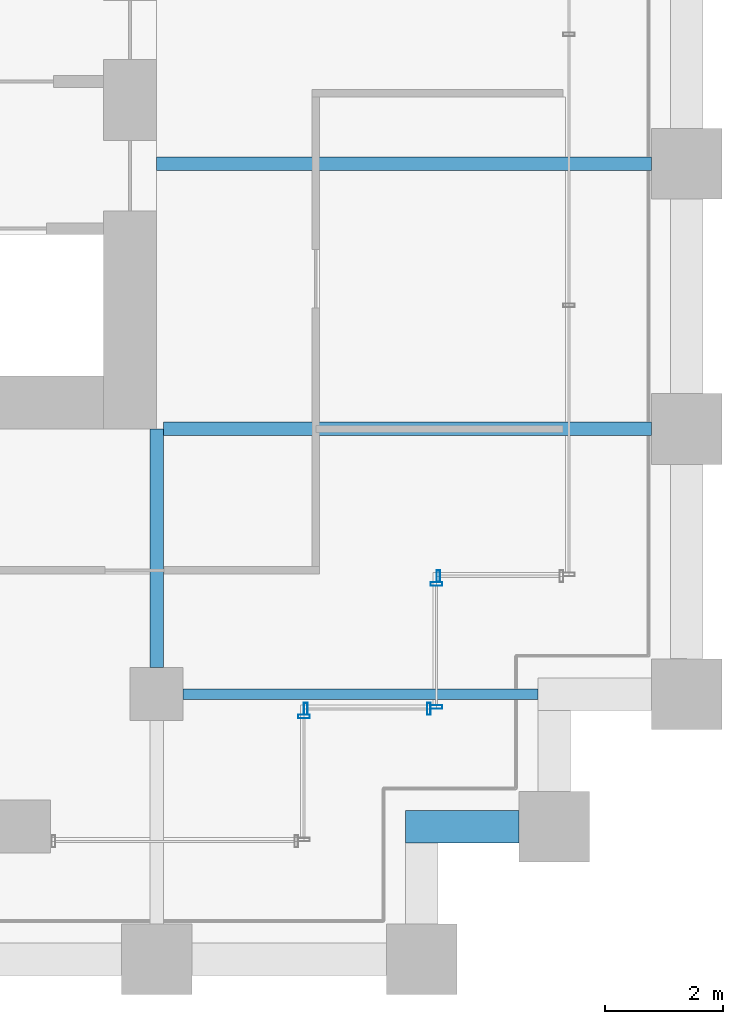
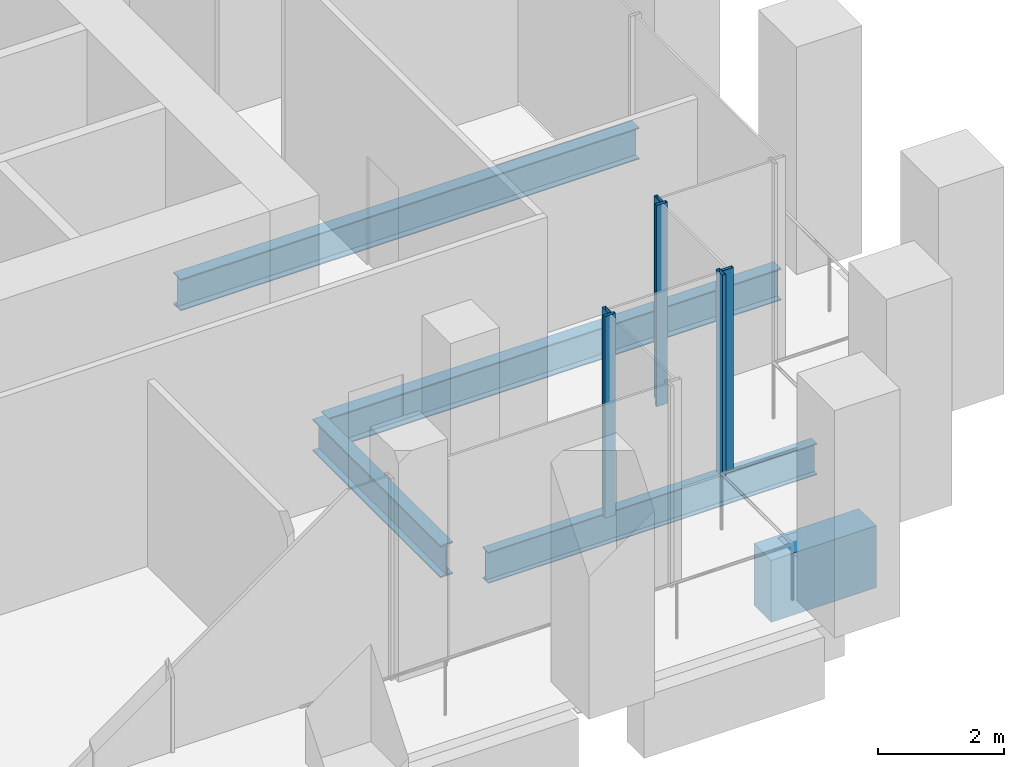
# One storey, part 22 of 36: 6 members, 5 beams, 4 elements without a shape of their own.
"""IFC4 building model written with IfcOpenShell, lengths in metres."""

from ifc_helpers import new_model, si_unit, direction, frame, origin, origin_2d, place, context, subcontext, project, spatial, rectangle, hollow_rectangle, i_section, extrude, material, material_profile, profile_set, type_object, element, aggregate, save


model = new_model("IFC4")

# Units and contexts
model_context = context("Model", 3, precision=1e-05, world=origin(), true_north=direction((0.0, 1.0)))
body_context = subcontext(model_context, "Body", "Model", "MODEL_VIEW")
ifc_project = project(units=[si_unit("LENGTHUNIT", "METRE"), si_unit("AREAUNIT", "SQUARE_METRE"), si_unit("VOLUMEUNIT", "CUBIC_METRE"), si_unit("PLANEANGLEUNIT", "RADIAN"), si_unit("MASSUNIT", "GRAM", prefix="KILO")], contexts=[model_context])

# Site, building, storey
site_placement = place(None, origin())
site = spatial("IfcSite", under=ifc_project, at=site_placement, CompositionType="ELEMENT")
building_placement = place(site_placement, origin())
building = spatial("IfcBuilding", under=site, at=building_placement, Name="Altepetl Exchange Towers", CompositionType="ELEMENT")
storey_placement = place(building_placement, frame((0.0, 0.0, 34.199951171875)))
storey = spatial("IfcBuildingStorey", under=building, at=storey_placement, Name="L07", CompositionType="ELEMENT", Elevation=34.199951171875)

# Beams
ifc_material_1 = material(Name="Steel S355", Category="steel")
ifc_material_profile_1 = material_profile(ifc_material_1, i_section(OverallWidth=0.178955078125, OverallDepth=0.60302734375, WebThickness=0.010986328125, FlangeThickness=0.014892578125, at=origin_2d()), Name="W24X62")
ifc_profile_set_1 = profile_set([ifc_material_profile_1], Name="Steel S355")
beam_type_1 = type_object("IfcBeamType", Name="Floor beam W24X62", PredefinedType="BEAM", material=ifc_profile_set_1)
beam_1_placement = place(storey_placement, frame((117.449951171875, 31.5, -0.4765625), z_axis=(1.0, 0.0, 0.0), x_axis=(0.0, 1.0, 0.0)))
element("IfcBeam", 1, at=beam_1_placement, inside=storey, type_object=beam_type_1, Name="bm:B:L07:004", PredefinedType="BEAM", context=body_context, shape_type="SweptSolid", body=[
    extrude(i_section(OverallWidth=0.178955078125, OverallDepth=0.60302734375, WebThickness=0.010986328125, FlangeThickness=0.014892578125, at=origin_2d()), origin(), (0.0, 0.0, 1.0), 6.025146484375),
])
ifc_material_profile_2 = material_profile(ifc_material_1, i_section(OverallWidth=0.22900390625, OverallDepth=0.612060546875, WebThickness=0.011962890625, FlangeThickness=0.01953125, at=origin_2d()), Name="W24X84")
ifc_profile_set_2 = profile_set([ifc_material_profile_2], Name="Steel S355")
beam_type_2 = type_object("IfcBeamType", Name="Floor beam W24X84", PredefinedType="BEAM", material=ifc_profile_set_2)
beam_2_placement = place(storey_placement, frame((117.114990234375, 36.0, -0.48095703125), z_axis=(1.0, 0.0, 0.0), x_axis=(0.0, 1.0, 0.0)))
element("IfcBeam", 2, at=beam_2_placement, inside=storey, type_object=beam_type_2, Name="bm:B:L07:005", PredefinedType="BEAM", context=body_context, shape_type="SweptSolid", body=[
    extrude(i_section(OverallWidth=0.22900390625, OverallDepth=0.612060546875, WebThickness=0.011962890625, FlangeThickness=0.01953125, at=origin_2d()), origin(), (0.0, 0.0, 1.0), 8.284912109375),
])
beam_3_placement = place(storey_placement, frame((117.0, 40.5, -0.48095703125), z_axis=(1.0, 0.0, 0.0), x_axis=(0.0, 1.0, 0.0)))
element("IfcBeam", 3, at=beam_3_placement, inside=storey, type_object=beam_type_2, Name="bm:B:L07:006", PredefinedType="BEAM", context=body_context, shape_type="SweptSolid", body=[
    extrude(i_section(OverallWidth=0.22900390625, OverallDepth=0.612060546875, WebThickness=0.011962890625, FlangeThickness=0.01953125, at=origin_2d()), origin(), (0.0, 0.0, 1.0), 8.39990234375),
])
ifc_material_profile_3 = material_profile(ifc_material_1, i_section(OverallWidth=0.22900390625, OverallDepth=0.623046875, WebThickness=0.013916015625, FlangeThickness=0.02490234375, at=origin_2d()), Name="W24X103")
ifc_profile_set_3 = profile_set([ifc_material_profile_3], Name="Steel S355")
beam_type_3 = type_object("IfcBeamType", Name="Girder W24X103", PredefinedType="BEAM", material=ifc_profile_set_3)
beam_4_placement = place(storey_placement, frame((117.0, 36.0, -0.486572265625), z_axis=(0.0, -1.0, 0.0), x_axis=(1.0, 0.0, 0.0)))
element("IfcBeam", 4, at=beam_4_placement, inside=storey, type_object=beam_type_3, Name="gd:B:L07:004", PredefinedType="BEAM", context=body_context, shape_type="SweptSolid", body=[
    extrude(i_section(OverallWidth=0.22900390625, OverallDepth=0.623046875, WebThickness=0.013916015625, FlangeThickness=0.02490234375, at=origin_2d()), origin(), (0.0, 0.0, 1.0), 4.050048828125),
])

# Curtain wall, member
ifc_material_2 = material(Name="Aluminium 6063-T6 glazing", Category="aluminium")
curtain_wall_type = type_object("IfcCurtainWallType", Name="Trading floor glazing system", PredefinedType="NOTDEFINED", material=ifc_material_2)
curtain_wall_1_placement = place(storey_placement, origin())
curtain_wall_1 = element("IfcCurtainWall", 5, at=curtain_wall_1_placement, inside=storey, type_object=curtain_wall_type, Name="CW2 run", PredefinedType="NOTDEFINED")
ifc_material_3 = material(Name="Aluminium 6063-T6", Category="aluminium")
ifc_material_profile_4 = material_profile(ifc_material_3, hollow_rectangle(XDim=0.06005859375, YDim=0.199951171875, WallThickness=0.0029296875, at=origin_2d()), Name="Mullion 60x200 aluminium")
ifc_profile_set_4 = profile_set([ifc_material_profile_4], Name="Aluminium 6063-T6")
member_type = type_object("IfcMemberType", Name="Mullion 60x200 aluminium", PredefinedType="MULLION", material=ifc_profile_set_4)
member_1_placement = place(storey_placement, frame((119.5, 31.1201171875, 0.0), z_axis=(0.0, 0.0, 1.0), x_axis=(0.0, 1.0, 0.0)))
member_1 = element("IfcMember", 6, at=member_1_placement, type_object=member_type, Name="MU2 mullion", PredefinedType="MULLION", context=body_context, shape_type="SweptSolid", body=[
    extrude(hollow_rectangle(XDim=0.06005859375, YDim=0.199951171875, WallThickness=0.0029296875, at=origin_2d()), origin(), (0.0, 0.0, 1.0), 3.900146484375),
])
aggregate(curtain_wall_1, [member_1])

# Curtain wall, members
curtain_wall_2_placement = place(storey_placement, origin())
curtain_wall_2 = element("IfcCurtainWall", 7, at=curtain_wall_2_placement, inside=storey, type_object=curtain_wall_type, Name="CW2 run", PredefinedType="NOTDEFINED")
member_2_placement = place(storey_placement, frame((119.530029296875, 31.25, 0.0)))
member_2 = element("IfcMember", 8, at=member_2_placement, type_object=member_type, Name="MU2 mullion", PredefinedType="MULLION", context=body_context, shape_type="SweptSolid", body=[
    extrude(hollow_rectangle(XDim=0.06005859375, YDim=0.199951171875, WallThickness=0.0029296875, at=origin_2d()), origin(), (0.0, 0.0, 1.0), 3.900146484375),
])
member_3_placement = place(storey_placement, frame((121.6201171875, 31.25, 0.0)))
member_3 = element("IfcMember", 9, at=member_3_placement, type_object=member_type, Name="MU2 mullion", PredefinedType="MULLION", context=body_context, shape_type="SweptSolid", body=[
    extrude(hollow_rectangle(XDim=0.06005859375, YDim=0.199951171875, WallThickness=0.0029296875, at=origin_2d()), origin(), (0.0, 0.0, 1.0), 3.900146484375),
])
aggregate(curtain_wall_2, [member_2, member_3])

curtain_wall_3_placement = place(storey_placement, origin())
curtain_wall_3 = element("IfcCurtainWall", 10, at=curtain_wall_3_placement, inside=storey, type_object=curtain_wall_type, Name="CW2 run", PredefinedType="NOTDEFINED")
member_4_placement = place(storey_placement, frame((121.75, 31.280029296875, 0.0), z_axis=(0.0, 0.0, 1.0), x_axis=(0.0, 1.0, 0.0)))
member_4 = element("IfcMember", 11, at=member_4_placement, type_object=member_type, Name="MU2 mullion", PredefinedType="MULLION", context=body_context, shape_type="SweptSolid", body=[
    extrude(hollow_rectangle(XDim=0.06005859375, YDim=0.199951171875, WallThickness=0.0029296875, at=origin_2d()), origin(), (0.0, 0.0, 1.0), 3.900146484375),
])
member_5_placement = place(storey_placement, frame((121.75, 33.3701171875, 0.0), z_axis=(0.0, 0.0, 1.0), x_axis=(0.0, 1.0, 0.0)))
member_5 = element("IfcMember", 12, at=member_5_placement, type_object=member_type, Name="MU2 mullion", PredefinedType="MULLION", context=body_context, shape_type="SweptSolid", body=[
    extrude(hollow_rectangle(XDim=0.06005859375, YDim=0.199951171875, WallThickness=0.0029296875, at=origin_2d()), origin(), (0.0, 0.0, 1.0), 3.900146484375),
])
aggregate(curtain_wall_3, [member_4, member_5])

# Curtain wall, member
curtain_wall_4_placement = place(storey_placement, origin())
curtain_wall_4 = element("IfcCurtainWall", 13, at=curtain_wall_4_placement, inside=storey, type_object=curtain_wall_type, Name="CW2 run", PredefinedType="NOTDEFINED")
member_6_placement = place(storey_placement, frame((121.780029296875, 33.5, 0.0)))
member_6 = element("IfcMember", 14, at=member_6_placement, type_object=member_type, Name="MU2 mullion", PredefinedType="MULLION", context=body_context, shape_type="SweptSolid", body=[
    extrude(hollow_rectangle(XDim=0.06005859375, YDim=0.199951171875, WallThickness=0.0029296875, at=origin_2d()), origin(), (0.0, 0.0, 1.0), 3.900146484375),
])
aggregate(curtain_wall_4, [member_6])

# Beam
ifc_material_4 = material(Name="Concrete C50/60 precast with cantera blanca facing", Category="concrete")
ifc_material_profile_5 = material_profile(ifc_material_4, rectangle(XDim=0.550048828125, YDim=1.199951171875, at=origin_2d()), Name="550 x 1200")
ifc_profile_set_5 = profile_set([ifc_material_profile_5], Name="Concrete C50/60 precast with cantera blanca facing")
beam_type_4 = type_object("IfcBeamType", Name="Spandrel beam 550x1200 cantera blanca", PredefinedType="SPANDREL", material=ifc_profile_set_5)
beam_5_placement = place(storey_placement, frame((121.22509765625, 29.25, -0.77490234375), z_axis=(1.0, 0.0, 0.0), x_axis=(0.0, 1.0, 0.0)))
element("IfcBeam", 15, at=beam_5_placement, inside=storey, type_object=beam_type_4, Name="sp:B:L07:006", PredefinedType="SPANDREL", context=body_context, shape_type="SweptSolid", body=[
    extrude(rectangle(XDim=0.550048828125, YDim=1.199951171875, at=origin_2d()), origin(), (0.0, 0.0, 1.0), 1.9248046875),
])

save(model, "model.ifc")
